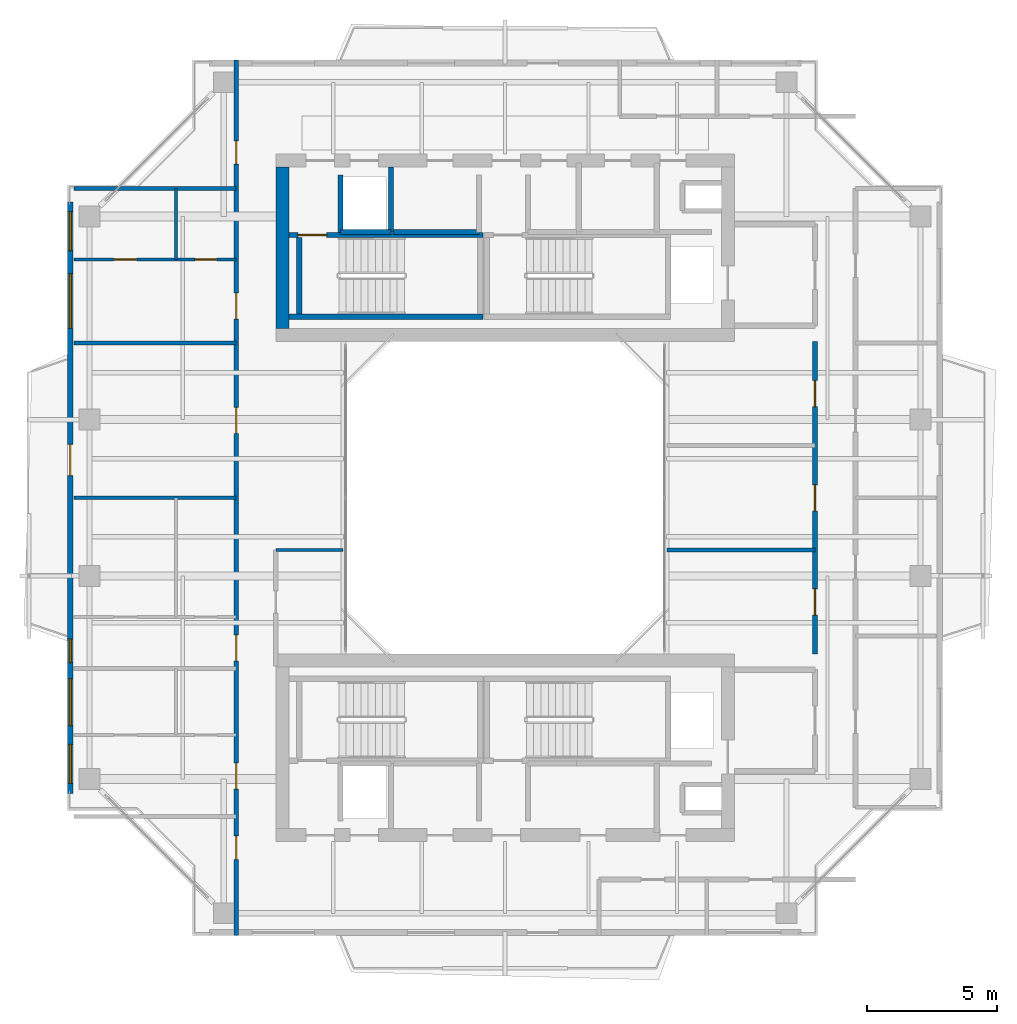
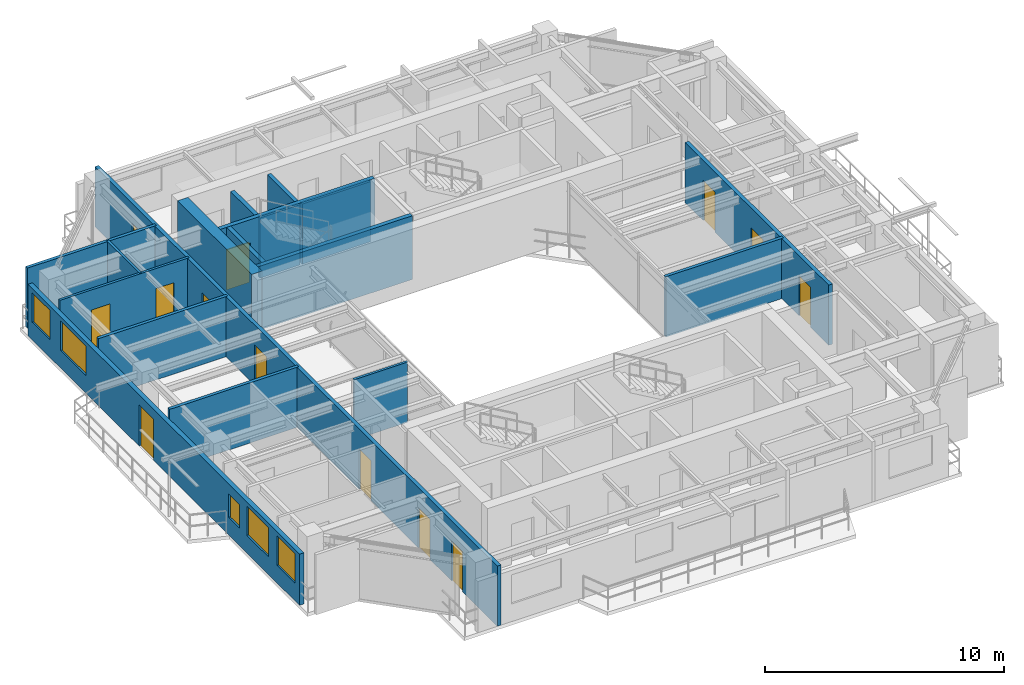
# One storey, part 11 of 16: 18 walls, 13 doors, 5 windows, 18 openings.
"""IFC4 building model written with IfcOpenShell, lengths in metres."""

import ifcopenshell
import ifcopenshell.guid

model = None  # the IFC model being written
_history = None  # IfcOwnerHistory: only IFC2X3 demands one
_inside = {}  # id of a spatial element -> (the spatial element, [elements in it])
_under = {}  # id of a project, library or spatial element -> (it, [spatial elements below it])
_declared = {}  # id of a project -> (the project, [libraries it declares])
_typed = {}  # id of a type object -> (the type object, [elements of that type])
_made_of = {}  # id of a material, layer set ... -> (it, [elements and type objects made of it])


def new_model(schema):
    """Start an empty IFC model of exactly this schema.

    Asked for "IFC4X3", IfcOpenShell would pick the latest addendum, in which some entities
    have other attributes; the version numbers below select the first issue.
    IFC2X3 requires an IfcOwnerHistory on every rooted entity: one is made here for all.
    """
    global model, _history
    if schema == "IFC4X3":
        model = ifcopenshell.file(schema_version=(4, 3, 0, 0))
    else:
        model = ifcopenshell.file(schema=schema)
    _inside.clear()
    _under.clear()
    _declared.clear()
    _typed.clear()
    _made_of.clear()
    _history = None
    if model.schema == "IFC2X3":
        org = make("IfcOrganization", Name="unknown")
        user = make(
            "IfcPersonAndOrganization",
            ThePerson=make("IfcPerson", FamilyName="unknown"),
            TheOrganization=org,
        )
        app = make(
            "IfcApplication",
            ApplicationDeveloper=org,
            Version="unknown",
            ApplicationFullName="unknown",
            ApplicationIdentifier="unknown",
        )
        _history = make(
            "IfcOwnerHistory",
            OwningUser=user,
            OwningApplication=app,
            ChangeAction="ADDED",
            CreationDate=0,
        )
    return model


def make(cls, **values):
    """One entity of the class cls with the attributes given. An attribute that is None is left unset."""
    return model.create_entity(
        cls, **{name: value for name, value in values.items() if value is not None}
    )


def rooted(cls, **values):
    """An entity with a GlobalId (a new one), such as an element, a storey or a relation."""
    return make(cls, GlobalId=ifcopenshell.guid.new(), OwnerHistory=_history, **values)


def si_unit(unit_type, name, prefix=None):
    """IfcSIUnit, for example si_unit("LENGTHUNIT", "METRE", prefix="MILLI")."""
    return make("IfcSIUnit", UnitType=unit_type, Prefix=prefix, Name=name)


def assignment(units):
    """IfcUnitAssignment: the units of a project."""
    return None if units is None else make("IfcUnitAssignment", Units=units)


def point(xyz):
    """IfcCartesianPoint."""
    return None if xyz is None else make("IfcCartesianPoint", Coordinates=xyz)


def direction(xyz):
    """IfcDirection."""
    return None if xyz is None else make("IfcDirection", DirectionRatios=xyz)


def frame(location, z_axis=None, x_axis=None):
    """IfcAxis2Placement3D, a coordinate frame: its origin and axes. An axis left out is left unset."""
    return make(
        "IfcAxis2Placement3D",
        Location=point(location),
        Axis=direction(z_axis),
        RefDirection=direction(x_axis),
    )


def frame_2d(location, x_axis=None):
    """IfcAxis2Placement2D, a coordinate frame in the plane: its origin and x axis."""
    return make(
        "IfcAxis2Placement2D", Location=point(location), RefDirection=direction(x_axis)
    )


def origin():
    """The frame at (0, 0, 0) with its axes left unset."""
    return frame((0.0, 0.0, 0.0))


def place(relative_to, where):
    """IfcLocalPlacement: puts the frame where relative to a parent placement (None: the world)."""
    return make(
        "IfcLocalPlacement", PlacementRelTo=relative_to, RelativePlacement=where
    )


def context(
    kind, dimensions, precision=None, world=None, true_north=None, identifier=None
):
    """IfcGeometricRepresentationContext, for example the 3D "Model" context."""
    return make(
        "IfcGeometricRepresentationContext",
        ContextIdentifier=identifier,
        ContextType=kind,
        CoordinateSpaceDimension=dimensions,
        Precision=precision,
        WorldCoordinateSystem=world,
        TrueNorth=true_north,
    )


def subcontext(parent, identifier, kind, view, scale=None):
    """IfcGeometricRepresentationSubContext, for example "Body" below "Model"."""
    return make(
        "IfcGeometricRepresentationSubContext",
        ContextIdentifier=identifier,
        ContextType=kind,
        ParentContext=parent,
        TargetScale=scale,
        TargetView=view,
    )


def project(units=None, contexts=None):
    """IfcProject with its units and contexts."""
    return rooted(
        "IfcProject",
        Name="project",
        RepresentationContexts=contexts,
        UnitsInContext=assignment(units),
    )


def spatial(cls, under=None, at=None, **own):
    """A site, building, storey or space (cls), placed at a placement, below another one or the project."""
    s = rooted(cls, ObjectPlacement=at, **own)
    if under is not None:
        _under.setdefault(under.id(), (under, []))[1].append(s)
    return s


def profile(cls, at=None, kind="AREA", **sizes):
    """A parametric profile (cls). Its sizes go by their IFC names, for example OverallWidth=200.0."""
    return make(cls, ProfileType=kind, Position=at, **sizes)


def rectangle(**sizes):
    """IfcRectangleProfileDef."""
    return profile("IfcRectangleProfileDef", **sizes)


def extrude(swept, where, along, depth):
    """IfcExtrudedAreaSolid: the profile swept, set in the frame where, extruded along a direction by depth."""
    return make(
        "IfcExtrudedAreaSolid",
        SweptArea=swept,
        Position=where,
        ExtrudedDirection=direction(along),
        Depth=depth,
    )


def shape(context_of_items, identifier, shape_type, items):
    """IfcShapeRepresentation: the items that make up one representation, for example the "Body"."""
    return make(
        "IfcShapeRepresentation",
        ContextOfItems=context_of_items,
        RepresentationIdentifier=identifier,
        RepresentationType=shape_type,
        Items=items,
    )


def source(mapping_origin, context_of_items, identifier, shape_type, items):
    """IfcRepresentationMap: a shape defined once, which mapped items show again and again."""
    return make(
        "IfcRepresentationMap",
        MappingOrigin=mapping_origin,
        MappedRepresentation=shape(context_of_items, identifier, shape_type, items),
    )


def transform(
    local_origin,
    x_axis=None,
    y_axis=None,
    z_axis=None,
    scale=None,
    scale2=None,
    scale3=None,
    uniform=True,
):
    """IfcCartesianTransformationOperator3D, or its non-uniform kind. x_axis, y_axis, z_axis: its Axis1, 2, 3."""
    if uniform:
        return make(
            "IfcCartesianTransformationOperator3D",
            Axis1=direction(x_axis),
            Axis2=direction(y_axis),
            LocalOrigin=point(local_origin),
            Scale=scale,
            Axis3=direction(z_axis),
        )
    return make(
        "IfcCartesianTransformationOperator3DnonUniform",
        Axis1=direction(x_axis),
        Axis2=direction(y_axis),
        LocalOrigin=point(local_origin),
        Scale=scale,
        Axis3=direction(z_axis),
        Scale2=scale2,
        Scale3=scale3,
    )


def mapped(mapping_source, mapping_target):
    """IfcMappedItem: shows the shape of a source again, moved by a transform."""
    return make(
        "IfcMappedItem", MappingSource=mapping_source, MappingTarget=mapping_target
    )


def material(Name=None, Category=None):
    """IfcMaterial."""
    return make("IfcMaterial", Name=Name, Category=Category)


def layer(
    of_material, thickness, ventilated=None, Name=None, Category=None, Priority=None
):
    """IfcMaterialLayer: one layer of a wall or slab, of a material (None: an air gap)."""
    return make(
        "IfcMaterialLayer",
        Material=of_material,
        LayerThickness=thickness,
        IsVentilated=ventilated,
        Name=Name,
        Category=Category,
        Priority=Priority,
    )


def layer_set(layers, Name=None):
    """IfcMaterialLayerSet."""
    return make("IfcMaterialLayerSet", MaterialLayers=layers, LayerSetName=Name)


def made_of(thing, what):
    """Note that an element or type object is made of a material, layer set ...; save() writes the relation."""
    if what is not None:
        _made_of.setdefault(what.id(), (what, []))[1].append(thing)
    return thing


def type_object(cls, material=None, **own):
    """A type object (cls), such as IfcWallType, which elements share."""
    return made_of(rooted(cls, **own), material)


def element(
    cls,
    number,
    at=None,
    inside=None,
    cuts=None,
    type_object=None,
    material=None,
    context=None,
    identifier="Body",
    shape_type=None,
    held_by="IfcProductDefinitionShape",
    body=None,
    shapes=None,
    **own,
):
    """One element of the class cls, such as IfcWall. Its Tag is "e" and its number.

    at: its placement. inside: the storey or other place that contains it. cuts: it is an
    opening in that element (IfcRelVoidsElement). A single representation is given by context,
    identifier, shape_type and body (its items); several are given by shapes. held_by: the class
    of the entity that holds the representations. save() writes the other relations.
    """
    e = rooted(cls, Tag="e%d" % number, ObjectPlacement=at, **own)
    if body is not None:
        shapes = [shape(context, identifier, shape_type, body)]
    if shapes is not None:
        e.Representation = make(held_by, Representations=shapes)
    if inside is not None:
        _inside.setdefault(inside.id(), (inside, []))[1].append(e)
    if cuts is not None:
        rooted(
            "IfcRelVoidsElement", RelatingBuildingElement=cuts, RelatedOpeningElement=e
        )
    if type_object is not None:
        _typed.setdefault(type_object.id(), (type_object, []))[1].append(e)
    return made_of(e, material)


def fill(opening, filler):
    """IfcRelFillsElement: the door or window that sits in an opening."""
    return rooted(
        "IfcRelFillsElement",
        RelatingOpeningElement=opening,
        RelatedBuildingElement=filler,
    )


def aggregate(whole, parts):
    """IfcRelAggregates: a whole, such as a stair, and the parts it consists of."""
    return rooted("IfcRelAggregates", RelatingObject=whole, RelatedObjects=parts)


def save(model, path):
    """Write the relations noted so far, then the file.

    IfcRelAggregates (storeys below a building ...), IfcRelContainedInSpatialStructure (elements
    in a storey), IfcRelDefinesByType, IfcRelAssociatesMaterial and IfcRelDeclares: one each for
    every whole, place, type object, material and project.
    """
    for whole, parts in _under.values():
        aggregate(whole, parts)
    for where, things in _inside.values():
        rooted(
            "IfcRelContainedInSpatialStructure",
            RelatedElements=things,
            RelatingStructure=where,
        )
    for kind, things in _typed.values():
        rooted("IfcRelDefinesByType", RelatedObjects=things, RelatingType=kind)
    for what, things in _made_of.values():
        rooted("IfcRelAssociatesMaterial", RelatedObjects=things, RelatingMaterial=what)
    for by, libraries in _declared.values():
        rooted("IfcRelDeclares", RelatingContext=by, RelatedDefinitions=libraries)
    model.write(path)


model = new_model("IFC4")

# Units and contexts
model_context = context("Model", 3, precision=1e-05, world=origin(), true_north=direction((0.0, 1.0)))
body_context = subcontext(model_context, "Body", "Model", "MODEL_VIEW")
ifc_project = project(units=[si_unit("LENGTHUNIT", "METRE"), si_unit("AREAUNIT", "SQUARE_METRE"), si_unit("VOLUMEUNIT", "CUBIC_METRE"), si_unit("PLANEANGLEUNIT", "RADIAN"), si_unit("MASSUNIT", "GRAM", prefix="KILO"), si_unit("THERMODYNAMICTEMPERATUREUNIT", "KELVIN"), si_unit("POWERUNIT", "WATT")], contexts=[model_context])

# Site, building, storey
site_placement = place(None, origin())
site = spatial("IfcSite", under=ifc_project, at=site_placement, CompositionType="ELEMENT")
building_placement = place(site_placement, origin())
building = spatial("IfcBuilding", under=site, at=building_placement, Name="Qiaomeng Ring Towers", CompositionType="ELEMENT")
storey_placement = place(building_placement, frame((0.0, 0.0, 216.5)))
storey = spatial("IfcBuildingStorey", under=building, at=storey_placement, Name="L63", CompositionType="ELEMENT", Elevation=216.5)

# Wall, openings, windows, door
ifc_material_1 = material(Name="Precast concrete C40", Category="concrete")
ifc_layer_1 = layer(ifc_material_1, 0.219970703125, Name="Precast concrete C40")
ifc_layer_set_1 = layer_set([ifc_layer_1], Name="Precast concrete C40")
wall_type_1 = type_object("IfcWallType", Name="ARC-WL-EW2", PredefinedType="STANDARD", material=ifc_layer_set_1)
wall_1_placement = place(storey_placement, frame((2.31005859375, 11.64990234375, 0.0), z_axis=(0.0, 0.0, 1.0), x_axis=(0.0, 1.0, 0.0)))
wall_1 = element("IfcWall", 1, at=wall_1_placement, inside=storey, type_object=wall_type_1, Name="L63 Tower 1 W Exterior Wall", PredefinedType="STANDARD", context=body_context, shape_type="SweptSolid", body=[
    extrude(rectangle(XDim=22.7001953125, YDim=0.219970703125, at=frame_2d((11.35009765625, 0.0))), origin(), (0.0, 0.0, 1.0), 2.610107421875),
])
opening_1_placement = place(wall_1_placement, frame((12.199951171875, 0.0, 0.0)))
opening_1 = element("IfcOpeningElement", 2, at=opening_1_placement, cuts=wall_1, Name="Opening BD1", PredefinedType="OPENING", context=body_context, shape_type="SweptSolid", body=[
    extrude(rectangle(XDim=1.199951171875, YDim=2.10009765625, at=frame_2d((0.60009765625, 1.050048828125))), frame((0.0, 0.119873046875, 0.0), z_axis=(0.0, -1.0, 0.0), x_axis=(1.0, 0.0, 0.0)), (0.0, 0.0, 1.0), 0.239990234375),
])
opening_2_placement = place(wall_1_placement, frame((2.607421875, 0.0, 0.89990234375)))
opening_2 = element("IfcOpeningElement", 3, at=opening_2_placement, cuts=wall_1, Name="Opening WN1", PredefinedType="OPENING", context=body_context, shape_type="SweptSolid", body=[
    extrude(rectangle(XDim=1.800048828125, YDim=1.5, at=frame_2d((0.89990234375, 0.75))), frame((0.0, 0.119873046875, 0.0), z_axis=(0.0, -1.0, 0.0), x_axis=(1.0, 0.0, 0.0)), (0.0, 0.0, 1.0), 0.239990234375),
])
opening_3_placement = place(wall_1_placement, frame((17.8525390625, 0.0, 0.89990234375)))
opening_3 = element("IfcOpeningElement", 4, at=opening_3_placement, cuts=wall_1, Name="Opening WN4", PredefinedType="OPENING", context=body_context, shape_type="SweptSolid", body=[
    extrude(rectangle(XDim=2.10009765625, YDim=1.5, at=frame_2d((1.050048828125, 0.75))), frame((0.0, 0.119873046875, 0.0), z_axis=(0.0, -1.0, 0.0), x_axis=(1.0, 0.0, 0.0)), (0.0, 0.0, 1.0), 0.239990234375),
])
opening_4_placement = place(wall_1_placement, frame((0.385009765625, 0.0, 0.89990234375)))
opening_4 = element("IfcOpeningElement", 5, at=opening_4_placement, cuts=wall_1, Name="Opening WN2", PredefinedType="OPENING", context=body_context, shape_type="SweptSolid", body=[
    extrude(rectangle(XDim=1.5, YDim=1.5, at=frame_2d((0.75, 0.75))), frame((0.0, 0.119873046875, 0.0), z_axis=(0.0, -1.0, 0.0), x_axis=(1.0, 0.0, 0.0)), (0.0, 0.0, 1.0), 0.239990234375),
])
opening_5_placement = place(wall_1_placement, frame((20.8349609375, 0.0, 0.89990234375)))
opening_5 = element("IfcOpeningElement", 6, at=opening_5_placement, cuts=wall_1, Name="Opening WN2", PredefinedType="OPENING", context=body_context, shape_type="SweptSolid", body=[
    extrude(rectangle(XDim=1.5, YDim=1.5, at=frame_2d((0.75, 0.75))), frame((0.0, 0.119873046875, 0.0), z_axis=(0.0, -1.0, 0.0), x_axis=(1.0, 0.0, 0.0)), (0.0, 0.0, 1.0), 0.239990234375),
])
opening_6_placement = place(wall_1_placement, frame((5.02490234375, 0.0, 0.89990234375)))
opening_6 = element("IfcOpeningElement", 7, at=opening_6_placement, cuts=wall_1, Name="Opening WN5", PredefinedType="OPENING", context=body_context, shape_type="SweptSolid", body=[
    extrude(rectangle(XDim=0.89990234375, YDim=1.199951171875, at=frame_2d((0.449951171875, 0.60009765625))), frame((0.0, 0.119873046875, 0.0), z_axis=(0.0, -1.0, 0.0), x_axis=(1.0, 0.0, 0.0)), (0.0, 0.0, 1.0), 0.239990234375),
])
ifc_material_2 = material(Name="Low-E dark-grey laminated double glazing", Category="glass")
window_type_1 = type_object("IfcWindowType", Name="ARC-WN-4", PartitioningType="TRIPLE_PANEL_VERTICAL", PredefinedType="WINDOW", material=ifc_material_2)
shared_shape_1 = source(origin(), body_context, "Body", "SweptSolid", [
    extrude(rectangle(XDim=2.10009765625, YDim=1.5, at=frame_2d((1.050048828125, 0.75))), frame((0.0, 0.030029296875, 0.0), z_axis=(0.0, -1.0, 0.0), x_axis=(1.0, 0.0, 0.0)), (0.0, 0.0, 1.0), 0.06005859375),
])
window_1_placement = place(opening_3_placement, origin())
window_1 = element("IfcWindow", 8, at=window_1_placement, inside=storey, type_object=window_type_1, Name="L63 Exterior Window WN4", OverallHeight=1.5, OverallWidth=2.10009765625, PartitioningType="TRIPLE_PANEL_VERTICAL", PredefinedType="WINDOW", context=body_context, shape_type="MappedRepresentation", body=[
    mapped(shared_shape_1, transform((0.0, 0.0, 0.0), x_axis=(1.0, 0.0, 0.0), y_axis=(0.0, 1.0, 0.0), z_axis=(0.0, 0.0, 1.0), scale=1.0)),
])
fill(opening_3, window_1)
door_type_1 = type_object("IfcDoorType", Name="ARC-DR-BD1", OperationType="NOTDEFINED", PredefinedType="DOOR", material=ifc_material_2)
shared_shape_2 = source(origin(), body_context, "Body", "SweptSolid", [
    extrude(rectangle(XDim=1.199951171875, YDim=2.10009765625, at=frame_2d((0.60009765625, 1.050048828125))), frame((0.0, 0.02490234375, 0.0), z_axis=(0.0, -1.0, 0.0), x_axis=(1.0, 0.0, 0.0)), (0.0, 0.0, 1.0), 0.050048828125),
])
door_1_placement = place(opening_1_placement, frame((1.199951171875, 0.0, 0.0), z_axis=(0.0, 0.0, 1.0), x_axis=(-1.0, 0.0, 0.0)))
door_1 = element("IfcDoor", 9, at=door_1_placement, inside=storey, type_object=door_type_1, Name="L63 W Balcony Glazed Door", OperationType="SINGLE_SWING_LEFT", OverallHeight=2.10009765625, OverallWidth=1.199951171875, PredefinedType="DOOR", context=body_context, shape_type="MappedRepresentation", body=[
    mapped(shared_shape_2, transform((0.0, 0.0, 0.0), x_axis=(1.0, 0.0, 0.0), y_axis=(0.0, 1.0, 0.0), z_axis=(0.0, 0.0, 1.0), scale=1.0)),
])
fill(opening_1, door_1)
window_type_2 = type_object("IfcWindowType", Name="ARC-WN-2", PartitioningType="DOUBLE_PANEL_VERTICAL", PredefinedType="WINDOW", material=ifc_material_2)
shared_shape_3 = source(origin(), body_context, "Body", "SweptSolid", [
    extrude(rectangle(XDim=1.5, YDim=1.5, at=frame_2d((0.75, 0.75))), frame((0.0, 0.030029296875, 0.0), z_axis=(0.0, -1.0, 0.0), x_axis=(1.0, 0.0, 0.0)), (0.0, 0.0, 1.0), 0.06005859375),
])
window_2_placement = place(opening_4_placement, origin())
window_2 = element("IfcWindow", 10, at=window_2_placement, inside=storey, type_object=window_type_2, Name="L63 Exterior Window WN2", OverallHeight=1.5, OverallWidth=1.5, PartitioningType="DOUBLE_PANEL_VERTICAL", PredefinedType="WINDOW", context=body_context, shape_type="MappedRepresentation", body=[
    mapped(shared_shape_3, transform((0.0, 0.0, 0.0), x_axis=(1.0, 0.0, 0.0), y_axis=(0.0, 1.0, 0.0), z_axis=(0.0, 0.0, 1.0), scale=1.0)),
])
fill(opening_4, window_2)
window_3_placement = place(opening_5_placement, origin())
window_3 = element("IfcWindow", 11, at=window_3_placement, inside=storey, type_object=window_type_2, Name="L63 Exterior Window WN2", OverallHeight=1.5, OverallWidth=1.5, PartitioningType="DOUBLE_PANEL_VERTICAL", PredefinedType="WINDOW", context=body_context, shape_type="MappedRepresentation", body=[
    mapped(shared_shape_3, transform((0.0, 0.0, 0.0), x_axis=(1.0, 0.0, 0.0), y_axis=(0.0, 1.0, 0.0), z_axis=(0.0, 0.0, 1.0), scale=1.0)),
])
fill(opening_5, window_3)
window_type_3 = type_object("IfcWindowType", Name="ARC-WN-1", PartitioningType="DOUBLE_PANEL_VERTICAL", PredefinedType="WINDOW", material=ifc_material_2)
shared_shape_4 = source(origin(), body_context, "Body", "SweptSolid", [
    extrude(rectangle(XDim=1.800048828125, YDim=1.5, at=frame_2d((0.89990234375, 0.75))), frame((0.0, 0.030029296875, 0.0), z_axis=(0.0, -1.0, 0.0), x_axis=(1.0, 0.0, 0.0)), (0.0, 0.0, 1.0), 0.06005859375),
])
window_4_placement = place(opening_2_placement, origin())
window_4 = element("IfcWindow", 12, at=window_4_placement, inside=storey, type_object=window_type_3, Name="L63 Exterior Window WN6", OverallHeight=1.5, OverallWidth=1.800048828125, PartitioningType="TRIPLE_PANEL_VERTICAL", PredefinedType="WINDOW", context=body_context, shape_type="MappedRepresentation", body=[
    mapped(shared_shape_4, transform((0.0, 0.0, 0.0), x_axis=(1.0, 0.0, 0.0), y_axis=(0.0, 1.0, 0.0), z_axis=(0.0, 0.0, 1.0), scale=1.0)),
])
fill(opening_2, window_4)
window_type_4 = type_object("IfcWindowType", Name="ARC-WN-5", PartitioningType="SINGLE_PANEL", PredefinedType="WINDOW", material=ifc_material_2)
shared_shape_5 = source(origin(), body_context, "Body", "SweptSolid", [
    extrude(rectangle(XDim=0.89990234375, YDim=1.199951171875, at=frame_2d((0.449951171875, 0.60009765625))), frame((0.0, 0.030029296875, 0.0), z_axis=(0.0, -1.0, 0.0), x_axis=(1.0, 0.0, 0.0)), (0.0, 0.0, 1.0), 0.06005859375),
])
window_5_placement = place(opening_6_placement, origin())
window_5 = element("IfcWindow", 13, at=window_5_placement, inside=storey, type_object=window_type_4, Name="L63 Exterior Window WN5", OverallHeight=1.199951171875, OverallWidth=0.89990234375, PartitioningType="SINGLE_PANEL", PredefinedType="WINDOW", context=body_context, shape_type="MappedRepresentation", body=[
    mapped(shared_shape_5, transform((0.0, 0.0, 0.0), x_axis=(1.0, 0.0, 0.0), y_axis=(0.0, 1.0, 0.0), z_axis=(0.0, 0.0, 1.0), scale=1.0)),
])
fill(opening_6, window_5)

# Walls
ifc_material_3 = material(Name="Autoclaved aerated concrete block", Category="concrete")
ifc_layer_2 = layer(ifc_material_3, 0.199951171875, Name="Autoclaved aerated concrete block")
ifc_layer_set_2 = layer_set([ifc_layer_2], Name="Autoclaved aerated concrete block")
wall_type_2 = type_object("IfcWallType", Name="ARC-WL-PW1", PredefinedType="PARTITIONING", material=ifc_layer_set_2)
wall_2_placement = place(storey_placement, frame((12.679931640625, 33.18994140625, 0.0), z_axis=(0.0, 0.0, 1.0), x_axis=(0.0, 1.0, 0.0)))
element("IfcWall", 14, at=wall_2_placement, inside=storey, type_object=wall_type_2, Name="L63 Interior Wall PW1", PredefinedType="PARTITIONING", context=body_context, shape_type="SweptSolid", body=[
    extrude(rectangle(XDim=2.2099609375, YDim=0.199951171875, at=frame_2d((1.10498046875, 0.0))), origin(), (0.0, 0.0, 1.0), 3.070068359375),
])
wall_3_placement = place(storey_placement, frame((14.719970703125, 33.199951171875, 0.0), z_axis=(0.0, 0.0, 1.0), x_axis=(1.0, 0.0, 0.0)))
element("IfcWall", 15, at=wall_3_placement, inside=storey, type_object=wall_type_2, Name="L63 Interior Wall PW1", PredefinedType="PARTITIONING", context=body_context, shape_type="SweptSolid", body=[
    extrude(rectangle(XDim=3.280029296875, YDim=0.199951171875, at=frame_2d((1.64013671875, 0.0))), origin(), (0.0, 0.0, 1.0), 3.070068359375),
])

# Wall, openings, doors
ifc_layer_3 = layer(ifc_material_3, 0.179931640625, Name="Autoclaved aerated concrete block")
ifc_layer_set_3 = layer_set([ifc_layer_3], Name="Autoclaved aerated concrete block")
wall_type_3 = type_object("IfcWallType", Name="ARC-WL-PW2", PredefinedType="PARTITIONING", material=ifc_layer_set_3)
wall_4_placement = place(storey_placement, frame((8.679931640625, 6.199951171875, 0.0), z_axis=(0.0, 0.0, 1.0), x_axis=(0.0, 1.0, 0.0)))
wall_4 = element("IfcWall", 16, at=wall_4_placement, inside=storey, type_object=wall_type_3, Name="L63 Interior Wall PW2", PredefinedType="PARTITIONING", context=body_context, shape_type="SweptSolid", body=[
    extrude(rectangle(XDim=33.60009765625, YDim=0.179931640625, at=frame_2d((16.800048828125, 0.0))), origin(), (0.0, 0.0, 1.0), 3.070068359375),
])
opening_7_placement = place(wall_4_placement, frame((29.60498046875, 0.0, 0.0)))
opening_7 = element("IfcOpeningElement", 17, at=opening_7_placement, cuts=wall_4, Name="Opening ID1", PredefinedType="OPENING", context=body_context, shape_type="SweptSolid", body=[
    extrude(rectangle(XDim=0.89990234375, YDim=2.050048828125, at=frame_2d((0.449951171875, 1.02490234375))), frame((0.0, 0.099853515625, 0.0), z_axis=(0.0, -1.0, 0.0), x_axis=(1.0, 0.0, 0.0)), (0.0, 0.0, 1.0), 0.199951171875),
])
opening_8_placement = place(wall_4_placement, frame((2.919921875, 0.0, 0.0)))
opening_8 = element("IfcOpeningElement", 18, at=opening_8_placement, cuts=wall_4, Name="Opening ID1", PredefinedType="OPENING", context=body_context, shape_type="SweptSolid", body=[
    extrude(rectangle(XDim=0.89990234375, YDim=2.050048828125, at=frame_2d((0.449951171875, 1.02490234375))), frame((0.0, 0.099853515625, 0.0), z_axis=(0.0, -1.0, 0.0), x_axis=(1.0, 0.0, 0.0)), (0.0, 0.0, 1.0), 0.199951171875),
])
opening_9_placement = place(wall_4_placement, frame((5.614990234375, 0.0, 0.0)))
opening_9 = element("IfcOpeningElement", 19, at=opening_9_placement, cuts=wall_4, Name="Opening FD4", PredefinedType="OPENING", context=body_context, shape_type="SweptSolid", body=[
    extrude(rectangle(XDim=1.0, YDim=2.050048828125, at=frame_2d((0.5, 1.02490234375))), frame((0.0, 0.099853515625, 0.0), z_axis=(0.0, -1.0, 0.0), x_axis=(1.0, 0.0, 0.0)), (0.0, 0.0, 1.0), 0.199951171875),
])
opening_10_placement = place(wall_4_placement, frame((10.5400390625, 0.0, 0.0)))
opening_10 = element("IfcOpeningElement", 20, at=opening_10_placement, cuts=wall_4, Name="Opening FD4", PredefinedType="OPENING", context=body_context, shape_type="SweptSolid", body=[
    extrude(rectangle(XDim=1.0, YDim=2.050048828125, at=frame_2d((0.5, 1.02490234375))), frame((0.0, 0.099853515625, 0.0), z_axis=(0.0, -1.0, 0.0), x_axis=(1.0, 0.0, 0.0)), (0.0, 0.0, 1.0), 0.199951171875),
])
opening_11_placement = place(wall_4_placement, frame((19.27001953125, 0.0, 0.0)))
opening_11 = element("IfcOpeningElement", 21, at=opening_11_placement, cuts=wall_4, Name="Opening FD4", PredefinedType="OPENING", context=body_context, shape_type="SweptSolid", body=[
    extrude(rectangle(XDim=1.0, YDim=2.050048828125, at=frame_2d((0.5, 1.02490234375))), frame((0.0, 0.099853515625, 0.0), z_axis=(0.0, -1.0, 0.0), x_axis=(1.0, 0.0, 0.0)), (0.0, 0.0, 1.0), 0.199951171875),
])
opening_12_placement = place(wall_4_placement, frame((23.655029296875, 0.0, 0.0)))
opening_12 = element("IfcOpeningElement", 22, at=opening_12_placement, cuts=wall_4, Name="Opening FD4", PredefinedType="OPENING", context=body_context, shape_type="SweptSolid", body=[
    extrude(rectangle(XDim=1.0, YDim=2.050048828125, at=frame_2d((0.5, 1.02490234375))), frame((0.0, 0.099853515625, 0.0), z_axis=(0.0, -1.0, 0.0), x_axis=(1.0, 0.0, 0.0)), (0.0, 0.0, 1.0), 0.199951171875),
])
ifc_material_4 = material(Name="Engineered fire-rated oak timber", Category="wood")
door_type_2 = type_object("IfcDoorType", Name="ARC-DR-FD4", OperationType="NOTDEFINED", PredefinedType="DOOR", material=ifc_material_4)
shared_shape_6 = source(origin(), body_context, "Body", "SweptSolid", [
    extrude(rectangle(XDim=1.0, YDim=2.050048828125, at=frame_2d((0.5, 1.02490234375))), frame((0.0, 0.02490234375, 0.0), z_axis=(0.0, -1.0, 0.0), x_axis=(1.0, 0.0, 0.0)), (0.0, 0.0, 1.0), 0.050048828125),
])
door_2_placement = place(opening_9_placement, origin())
door_2 = element("IfcDoor", 23, at=door_2_placement, inside=storey, type_object=door_type_2, Name="L63 Door FD4", OperationType="SINGLE_SWING_RIGHT", OverallHeight=2.050048828125, OverallWidth=1.0, PredefinedType="DOOR", context=body_context, shape_type="MappedRepresentation", body=[
    mapped(shared_shape_6, transform((0.0, 0.0, 0.0), x_axis=(1.0, 0.0, 0.0), y_axis=(0.0, 1.0, 0.0), z_axis=(0.0, 0.0, 1.0), scale=1.0)),
])
fill(opening_9, door_2)
door_3_placement = place(opening_10_placement, origin())
door_3 = element("IfcDoor", 24, at=door_3_placement, inside=storey, type_object=door_type_2, Name="L63 Door FD4", OperationType="SINGLE_SWING_LEFT", OverallHeight=2.050048828125, OverallWidth=1.0, PredefinedType="DOOR", context=body_context, shape_type="MappedRepresentation", body=[
    mapped(shared_shape_6, transform((0.0, 0.0, 0.0), x_axis=(1.0, 0.0, 0.0), y_axis=(0.0, 1.0, 0.0), z_axis=(0.0, 0.0, 1.0), scale=1.0)),
])
fill(opening_10, door_3)
door_4_placement = place(opening_11_placement, origin())
door_4 = element("IfcDoor", 25, at=door_4_placement, inside=storey, type_object=door_type_2, Name="L63 Door FD4", OperationType="SINGLE_SWING_RIGHT", OverallHeight=2.050048828125, OverallWidth=1.0, PredefinedType="DOOR", context=body_context, shape_type="MappedRepresentation", body=[
    mapped(shared_shape_6, transform((0.0, 0.0, 0.0), x_axis=(1.0, 0.0, 0.0), y_axis=(0.0, 1.0, 0.0), z_axis=(0.0, 0.0, 1.0), scale=1.0)),
])
fill(opening_11, door_4)
door_5_placement = place(opening_12_placement, origin())
door_5 = element("IfcDoor", 26, at=door_5_placement, inside=storey, type_object=door_type_2, Name="L63 Door FD4", OperationType="SINGLE_SWING_LEFT", OverallHeight=2.050048828125, OverallWidth=1.0, PredefinedType="DOOR", context=body_context, shape_type="MappedRepresentation", body=[
    mapped(shared_shape_6, transform((0.0, 0.0, 0.0), x_axis=(1.0, 0.0, 0.0), y_axis=(0.0, 1.0, 0.0), z_axis=(0.0, 0.0, 1.0), scale=1.0)),
])
fill(opening_12, door_5)
ifc_material_5 = material(Name="Engineered oak timber", Category="wood")
door_type_3 = type_object("IfcDoorType", Name="ARC-DR-ID1", OperationType="NOTDEFINED", PredefinedType="DOOR", material=ifc_material_5)
shared_shape_7 = source(origin(), body_context, "Body", "SweptSolid", [
    extrude(rectangle(XDim=0.89990234375, YDim=2.050048828125, at=frame_2d((0.449951171875, 1.02490234375))), frame((0.0, 0.02490234375, 0.0), z_axis=(0.0, -1.0, 0.0), x_axis=(1.0, 0.0, 0.0)), (0.0, 0.0, 1.0), 0.050048828125),
])
door_6_placement = place(opening_7_placement, origin())
door_6 = element("IfcDoor", 27, at=door_6_placement, inside=storey, type_object=door_type_3, Name="L63 Door ID1", OperationType="SINGLE_SWING_RIGHT", OverallHeight=2.050048828125, OverallWidth=0.89990234375, PredefinedType="DOOR", context=body_context, shape_type="MappedRepresentation", body=[
    mapped(shared_shape_7, transform((0.0, 0.0, 0.0), x_axis=(1.0, 0.0, 0.0), y_axis=(0.0, 1.0, 0.0), z_axis=(0.0, 0.0, 1.0), scale=1.0)),
])
fill(opening_7, door_6)
door_7_placement = place(opening_8_placement, origin())
door_7 = element("IfcDoor", 28, at=door_7_placement, inside=storey, type_object=door_type_3, Name="L63 Door ID1", OperationType="SINGLE_SWING_LEFT", OverallHeight=2.050048828125, OverallWidth=0.89990234375, PredefinedType="DOOR", context=body_context, shape_type="MappedRepresentation", body=[
    mapped(shared_shape_7, transform((0.0, 0.0, 0.0), x_axis=(1.0, 0.0, 0.0), y_axis=(0.0, 1.0, 0.0), z_axis=(0.0, 0.0, 1.0), scale=1.0)),
])
fill(opening_8, door_7)

wall_5_placement = place(storey_placement, frame((30.89990234375, 17.0, 0.0), z_axis=(0.0, 0.0, 1.0), x_axis=(0.0, 1.0, 0.0)))
wall_5 = element("IfcWall", 29, at=wall_5_placement, inside=storey, type_object=wall_type_3, Name="L63 Interior Wall PW2", PredefinedType="PARTITIONING", context=body_context, shape_type="SweptSolid", body=[
    extrude(rectangle(XDim=12.0, YDim=0.179931640625, at=frame_2d((6.0, 0.0))), origin(), (0.0, 0.0, 1.0), 3.070068359375),
])
opening_13_placement = place(wall_5_placement, frame((1.5, 0.0, 0.0)))
opening_13 = element("IfcOpeningElement", 30, at=opening_13_placement, cuts=wall_5, Name="Opening FD4", PredefinedType="OPENING", context=body_context, shape_type="SweptSolid", body=[
    extrude(rectangle(XDim=1.0, YDim=2.050048828125, at=frame_2d((0.5, 1.02490234375))), frame((0.0, 0.099853515625, 0.0), z_axis=(0.0, -1.0, 0.0), x_axis=(1.0, 0.0, 0.0)), (0.0, 0.0, 1.0), 0.199951171875),
])
opening_14_placement = place(wall_5_placement, frame((5.5, 0.0, 0.0)))
opening_14 = element("IfcOpeningElement", 31, at=opening_14_placement, cuts=wall_5, Name="Opening FD4", PredefinedType="OPENING", context=body_context, shape_type="SweptSolid", body=[
    extrude(rectangle(XDim=1.0, YDim=2.050048828125, at=frame_2d((0.5, 1.02490234375))), frame((0.0, 0.099853515625, 0.0), z_axis=(0.0, -1.0, 0.0), x_axis=(1.0, 0.0, 0.0)), (0.0, 0.0, 1.0), 0.199951171875),
])
opening_15_placement = place(wall_5_placement, frame((9.5, 0.0, 0.0)))
opening_15 = element("IfcOpeningElement", 32, at=opening_15_placement, cuts=wall_5, Name="Opening FD4", PredefinedType="OPENING", context=body_context, shape_type="SweptSolid", body=[
    extrude(rectangle(XDim=1.0, YDim=2.050048828125, at=frame_2d((0.5, 1.02490234375))), frame((0.0, 0.099853515625, 0.0), z_axis=(0.0, -1.0, 0.0), x_axis=(1.0, 0.0, 0.0)), (0.0, 0.0, 1.0), 0.199951171875),
])
door_8_placement = place(opening_13_placement, origin())
door_8 = element("IfcDoor", 33, at=door_8_placement, inside=storey, type_object=door_type_2, Name="L63 Door FD4", OperationType="SINGLE_SWING_LEFT", OverallHeight=2.050048828125, OverallWidth=1.0, PredefinedType="DOOR", context=body_context, shape_type="MappedRepresentation", body=[
    mapped(shared_shape_6, transform((0.0, 0.0, 0.0), x_axis=(1.0, 0.0, 0.0), y_axis=(0.0, 1.0, 0.0), z_axis=(0.0, 0.0, 1.0), scale=1.0)),
])
fill(opening_13, door_8)
door_9_placement = place(opening_14_placement, origin())
door_9 = element("IfcDoor", 34, at=door_9_placement, inside=storey, type_object=door_type_2, Name="L63 Door FD4", OperationType="SINGLE_SWING_RIGHT", OverallHeight=2.050048828125, OverallWidth=1.0, PredefinedType="DOOR", context=body_context, shape_type="MappedRepresentation", body=[
    mapped(shared_shape_6, transform((0.0, 0.0, 0.0), x_axis=(1.0, 0.0, 0.0), y_axis=(0.0, 1.0, 0.0), z_axis=(0.0, 0.0, 1.0), scale=1.0)),
])
fill(opening_14, door_9)
door_10_placement = place(opening_15_placement, origin())
door_10 = element("IfcDoor", 35, at=door_10_placement, inside=storey, type_object=door_type_2, Name="L63 Door FD4", OperationType="SINGLE_SWING_LEFT", OverallHeight=2.050048828125, OverallWidth=1.0, PredefinedType="DOOR", context=body_context, shape_type="MappedRepresentation", body=[
    mapped(shared_shape_6, transform((0.0, 0.0, 0.0), x_axis=(1.0, 0.0, 0.0), y_axis=(0.0, 1.0, 0.0), z_axis=(0.0, 0.0, 1.0), scale=1.0)),
])
fill(opening_15, door_10)

# Walls
ifc_material_6 = material(Name="Gypsum fireboard steel-stud partition", Category="steel")
ifc_layer_4 = layer(ifc_material_6, 0.14990234375, Name="Gypsum fireboard steel-stud partition")
ifc_layer_set_4 = layer_set([ifc_layer_4], Name="Gypsum fireboard steel-stud partition")
wall_type_4 = type_object("IfcWallType", Name="ARC-WL-PW3", PredefinedType="PARTITIONING", material=ifc_layer_set_4)
for number, where, z_axis, x_axis, name in (
    (36, (2.449951171875, 34.8798828125, 0.0), (0.0, 0.0, 1.0), (1.0, 0.0, 0.0), "L63 Interior Wall PW3"),
    (37, (2.449951171875, 23.0, 0.0), (0.0, 0.0, 1.0), (1.0, 0.0, 0.0), "L63 Interior Wall PW3"),
    (38, (2.449951171875, 28.93994140625, 0.0), (0.0, 0.0, 1.0), (1.0, 0.0, 0.0), "L63 Interior Wall PW3"),
):
    element("IfcWall", number, at=place(storey_placement, frame(where, z_axis=z_axis, x_axis=x_axis)), inside=storey, type_object=wall_type_4, Name=name, PredefinedType="PARTITIONING", context=body_context, shape_type="SweptSolid", body=[
        extrude(rectangle(XDim=6.22998046875, YDim=0.14990234375, at=frame_2d((3.114990234375, 0.0))), origin(), (0.0, 0.0, 1.0), 3.070068359375),
    ])
wall_6_placement = place(storey_placement, frame((25.219970703125, 21.0, 0.0), z_axis=(0.0, 0.0, 1.0), x_axis=(1.0, 0.0, 0.0)))
element("IfcWall", 39, at=wall_6_placement, inside=storey, type_object=wall_type_4, Name="L63 Interior Wall PW3", PredefinedType="PARTITIONING", context=body_context, shape_type="SweptSolid", body=[
    extrude(rectangle(XDim=5.679931640625, YDim=0.14990234375, at=frame_2d((2.83984375, 0.0))), origin(), (0.0, 0.0, 1.0), 3.070068359375),
])

# Wall, openings, doors
ifc_material_7 = material(Name="Moisture-resistant gypsum steel-stud partition", Category="steel")
ifc_layer_5 = layer(ifc_material_7, 0.1201171875, Name="Moisture-resistant gypsum steel-stud partition")
ifc_layer_set_5 = layer_set([ifc_layer_5], Name="Moisture-resistant gypsum steel-stud partition")
wall_type_5 = type_object("IfcWallType", Name="ARC-WL-PW4", PredefinedType="PLUMBINGWALL", material=ifc_layer_set_5)
wall_7_placement = place(storey_placement, frame((2.449951171875, 32.14990234375, 0.0), z_axis=(0.0, 0.0, 1.0), x_axis=(1.0, 0.0, 0.0)))
wall_7 = element("IfcWall", 40, at=wall_7_placement, inside=storey, type_object=wall_type_5, Name="L63 Interior Wall PW4", PredefinedType="PLUMBINGWALL", context=body_context, shape_type="SweptSolid", body=[
    extrude(rectangle(XDim=6.22998046875, YDim=0.1201171875, at=frame_2d((3.114990234375, 0.0))), origin(), (0.0, 0.0, 1.0), 3.070068359375),
])
opening_16_placement = place(wall_7_placement, frame((1.52001953125, 0.0, 0.0)))
opening_16 = element("IfcOpeningElement", 41, at=opening_16_placement, cuts=wall_7, Name="Opening ID1", PredefinedType="OPENING", context=body_context, shape_type="SweptSolid", body=[
    extrude(rectangle(XDim=0.89990234375, YDim=2.050048828125, at=frame_2d((0.449951171875, 1.02490234375))), frame((0.0, 0.070068359375, 0.0), z_axis=(0.0, -1.0, 0.0), x_axis=(1.0, 0.0, 0.0)), (0.0, 0.0, 1.0), 0.14013671875),
])
opening_17_placement = place(wall_7_placement, frame((4.639892578125, 0.0, 0.0)))
opening_17 = element("IfcOpeningElement", 42, at=opening_17_placement, cuts=wall_7, Name="Opening ID2", PredefinedType="OPENING", context=body_context, shape_type="SweptSolid", body=[
    extrude(rectangle(XDim=0.85009765625, YDim=2.050048828125, at=frame_2d((0.425048828125, 1.02490234375))), frame((0.0, 0.070068359375, 0.0), z_axis=(0.0, -1.0, 0.0), x_axis=(1.0, 0.0, 0.0)), (0.0, 0.0, 1.0), 0.14013671875),
])
ifc_material_8 = material(Name="Moisture-resistant engineered timber", Category="wood")
door_type_4 = type_object("IfcDoorType", Name="ARC-DR-ID2", OperationType="NOTDEFINED", PredefinedType="DOOR", material=ifc_material_8)
shared_shape_8 = source(origin(), body_context, "Body", "SweptSolid", [
    extrude(rectangle(XDim=0.85009765625, YDim=2.050048828125, at=frame_2d((0.425048828125, 1.02490234375))), frame((0.0, 0.02490234375, 0.0), z_axis=(0.0, -1.0, 0.0), x_axis=(1.0, 0.0, 0.0)), (0.0, 0.0, 1.0), 0.050048828125),
])
door_11_placement = place(opening_17_placement, origin())
door_11 = element("IfcDoor", 43, at=door_11_placement, inside=storey, type_object=door_type_4, Name="L63 Door ID2", OperationType="SINGLE_SWING_RIGHT", OverallHeight=2.050048828125, OverallWidth=0.85009765625, PredefinedType="DOOR", context=body_context, shape_type="MappedRepresentation", body=[
    mapped(shared_shape_8, transform((0.0, 0.0, 0.0), x_axis=(1.0, 0.0, 0.0), y_axis=(0.0, 1.0, 0.0), z_axis=(0.0, 0.0, 1.0), scale=1.0)),
])
fill(opening_17, door_11)
door_12_placement = place(opening_16_placement, origin())
door_12 = element("IfcDoor", 44, at=door_12_placement, inside=storey, type_object=door_type_3, Name="L63 Door ID1", OperationType="SINGLE_SWING_LEFT", OverallHeight=2.050048828125, OverallWidth=0.89990234375, PredefinedType="DOOR", context=body_context, shape_type="MappedRepresentation", body=[
    mapped(shared_shape_7, transform((0.0, 0.0, 0.0), x_axis=(1.0, 0.0, 0.0), y_axis=(0.0, 1.0, 0.0), z_axis=(0.0, 0.0, 1.0), scale=1.0)),
])
fill(opening_16, door_12)

# Walls
wall_8_placement = place(storey_placement, frame((6.3701171875, 32.14990234375, 0.0), z_axis=(0.0, 0.0, 1.0), x_axis=(0.0, 1.0, 0.0)))
element("IfcWall", 45, at=wall_8_placement, inside=storey, type_object=wall_type_5, Name="L63 Interior Wall PW4", PredefinedType="PLUMBINGWALL", context=body_context, shape_type="SweptSolid", body=[
    extrude(rectangle(XDim=2.72998046875, YDim=0.1201171875, at=frame_2d((1.364990234375, 0.0))), origin(), (0.0, 0.0, 1.0), 3.070068359375),
])
wall_9_placement = place(storey_placement, frame((10.199951171875, 21.0, 0.0), z_axis=(0.0, 0.0, 1.0), x_axis=(1.0, 0.0, 0.0)))
element("IfcWall", 46, at=wall_9_placement, inside=storey, type_object=wall_type_5, Name="L63 Interior Wall PW4", PredefinedType="PLUMBINGWALL", context=body_context, shape_type="SweptSolid", body=[
    extrude(rectangle(XDim=2.580078125, YDim=0.1201171875, at=frame_2d((1.2900390625, 0.0))), origin(), (0.0, 0.0, 1.0), 3.070068359375),
])
ifc_material_9 = material(Name="Concrete C40", Category="concrete")
ifc_layer_6 = layer(ifc_material_9, 0.199951171875, Name="Concrete C40")
ifc_layer_set_6 = layer_set([ifc_layer_6], Name="Concrete C40")
wall_type_6 = type_object("IfcWallType", Name="STR-WL-STSHAFT", PredefinedType="SHEAR", material=ifc_layer_set_6)
wall_10_placement = place(storey_placement, frame((12.679931640625, 33.199951171875, 0.0), z_axis=(0.0, 0.0, 1.0), x_axis=(1.0, 0.0, 0.0)))
element("IfcWall", 47, at=wall_10_placement, inside=storey, type_object=wall_type_6, Name="L63 Lift LP5 Shaft Back Wall", PredefinedType="SHEAR", context=body_context, shape_type="SweptSolid", body=[
    extrude(rectangle(XDim=1.940185546875, YDim=0.179931640625, at=frame_2d((0.97021484375, 0.0))), origin(), (0.0, 0.0, 1.0), 3.070068359375),
])
wall_11_placement = place(storey_placement, frame((14.6201171875, 33.199951171875, 0.0), z_axis=(0.0, 0.0, 1.0), x_axis=(0.0, 1.0, 0.0)))
element("IfcWall", 48, at=wall_11_placement, inside=storey, type_object=wall_type_6, Name="L63 Lift LP5-LP3 Shaft Divider Wall", PredefinedType="SHEAR", context=body_context, shape_type="SweptSolid", body=[
    extrude(rectangle(XDim=2.5, YDim=0.179931640625, at=frame_2d((1.25, 0.0))), origin(), (0.0, 0.0, 1.0), 3.070068359375),
])
wall_12_placement = place(storey_placement, frame((10.699951171875, 29.949951171875, 0.0), z_axis=(0.0, 0.0, 1.0), x_axis=(1.0, 0.0, 0.0)))
element("IfcWall", 49, at=wall_12_placement, inside=storey, type_object=wall_type_6, Name="L63 Stair ST1 South Shaft Shear Wall", PredefinedType="SHEAR", context=body_context, shape_type="SweptSolid", body=[
    extrude(rectangle(XDim=7.449951171875, YDim=0.199951171875, at=frame_2d((3.72509765625, 0.0))), origin(), (0.0, 0.0, 1.0), 3.25),
])

# Wall, opening, door
wall_13_placement = place(storey_placement, frame((10.699951171875, 33.090087890625, 0.0), z_axis=(0.0, 0.0, 1.0), x_axis=(1.0, 0.0, 0.0)))
wall_13 = element("IfcWall", 50, at=wall_13_placement, inside=storey, type_object=wall_type_6, Name="L63 Stair ST1 North Shaft Shear Wall", PredefinedType="SHEAR", context=body_context, shape_type="SweptSolid", body=[
    extrude(rectangle(XDim=7.449951171875, YDim=0.199951171875, at=frame_2d((3.72509765625, 0.0))), origin(), (0.0, 0.0, 1.0), 3.25),
])
opening_18_placement = place(wall_13_placement, frame((0.35009765625, 0.0, 0.0)))
opening_18 = element("IfcOpeningElement", 51, at=opening_18_placement, cuts=wall_13, Name="Opening FD3", PredefinedType="OPENING", context=body_context, shape_type="SweptSolid", body=[
    extrude(rectangle(XDim=1.10009765625, YDim=2.050048828125, at=frame_2d((0.550048828125, 1.02490234375))), frame((0.0, 0.10986328125, 0.0), z_axis=(0.0, -1.0, 0.0), x_axis=(1.0, 0.0, 0.0)), (0.0, 0.0, 1.0), 0.219970703125),
])
ifc_material_10 = material(Name="Galvanised steel", Category="steel")
door_type_5 = type_object("IfcDoorType", Name="ARC-DR-FD3", OperationType="NOTDEFINED", PredefinedType="DOOR", material=ifc_material_10)
shared_shape_9 = source(origin(), body_context, "Body", "SweptSolid", [
    extrude(rectangle(XDim=1.10009765625, YDim=2.050048828125, at=frame_2d((0.550048828125, 1.02490234375))), frame((0.0, 0.02490234375, 0.0), z_axis=(0.0, -1.0, 0.0), x_axis=(1.0, 0.0, 0.0)), (0.0, 0.0, 1.0), 0.050048828125),
])
door_13_placement = place(opening_18_placement, origin())
door_13 = element("IfcDoor", 52, at=door_13_placement, inside=storey, type_object=door_type_5, Name="L63 Stair ST1 Exit Door", OperationType="SINGLE_SWING_RIGHT", OverallHeight=2.050048828125, OverallWidth=1.10009765625, PredefinedType="DOOR", context=body_context, shape_type="MappedRepresentation", body=[
    mapped(shared_shape_9, transform((0.0, 0.0, 0.0), x_axis=(1.0, 0.0, 0.0), y_axis=(0.0, 1.0, 0.0), z_axis=(0.0, 0.0, 1.0), scale=1.0)),
])
fill(opening_18, door_13)

# Walls
wall_14_placement = place(storey_placement, frame((11.10009765625, 30.050048828125, 0.0), z_axis=(0.0, 0.0, 1.0), x_axis=(0.0, 1.0, 0.0)))
element("IfcWall", 53, at=wall_14_placement, inside=storey, type_object=wall_type_6, Name="L63 Stair ST1 West Shaft Shear Wall", PredefinedType="SHEAR", context=body_context, shape_type="SweptSolid", body=[
    extrude(rectangle(XDim=2.93994140625, YDim=0.199951171875, at=frame_2d((1.469970703125, 0.0))), origin(), (0.0, 0.0, 1.0), 3.25),
])
ifc_layer_7 = layer(ifc_material_9, 0.5, Name="Concrete C40")
ifc_layer_set_7 = layer_set([ifc_layer_7], Name="Concrete C40")
wall_type_7 = type_object("IfcWallType", Name="STR-WL-SW3", PredefinedType="SHEAR", material=ifc_layer_set_7)
wall_15_placement = place(storey_placement, frame((10.449951171875, 29.5, 0.0), z_axis=(0.0, 0.0, 1.0), x_axis=(0.0, 1.0, 0.0)))
element("IfcWall", 54, at=wall_15_placement, inside=storey, type_object=wall_type_7, Name="L63 T1NC west core shear wall", PredefinedType="SHEAR", context=body_context, shape_type="SweptSolid", body=[
    extrude(rectangle(XDim=6.199951171875, YDim=0.5, at=frame_2d((3.10009765625, 0.0))), origin(), (0.0, 0.0, 1.0), 3.25),
])

save(model, "model.ifc")
